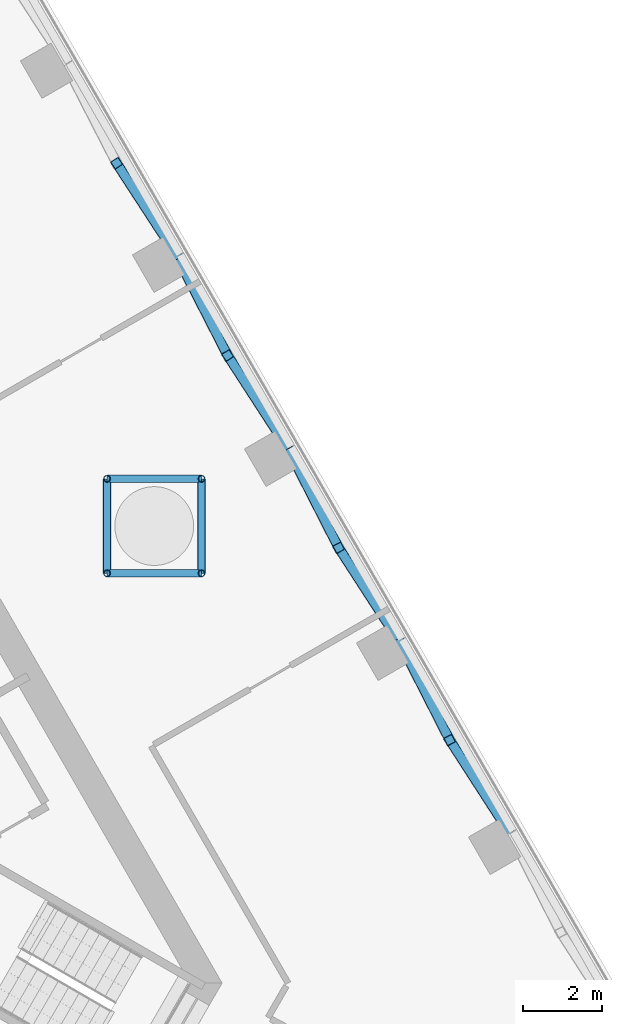
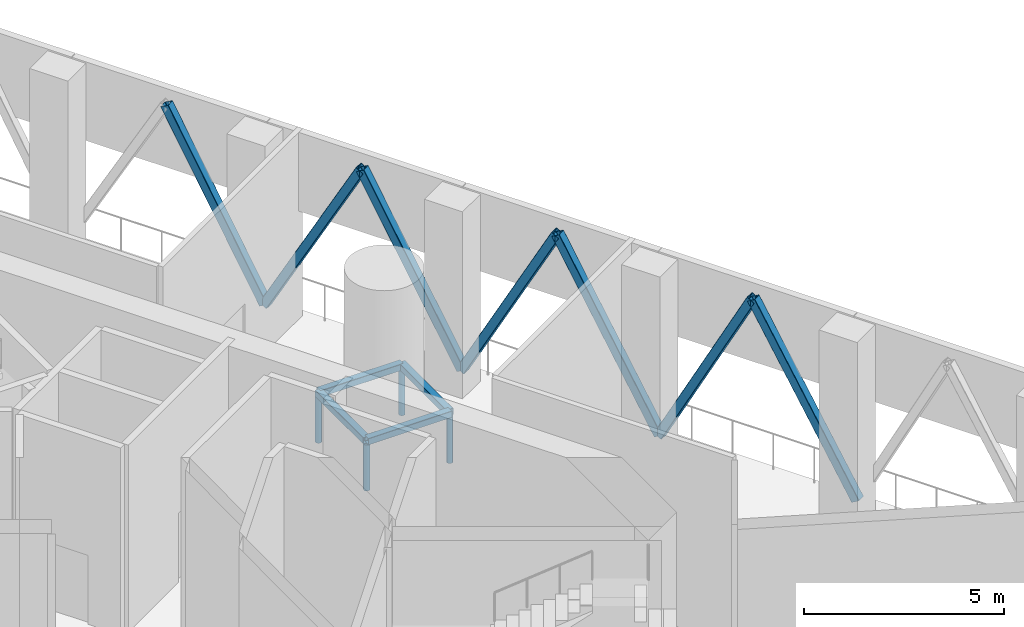
# One storey, part 5 of 15: 15 members.
"""IFC4 building model written with IfcOpenShell, lengths in metres."""

from ifc_helpers import new_model, si_unit, direction, frame, origin, origin_2d, place, context, subcontext, project, spatial, hollow_rectangle, hollow_circle, extrude, material, material_profile, profile_set, type_object, element, save


model = new_model("IFC4")

# Units and contexts
model_context = context("Model", 3, precision=1e-05, world=origin(), true_north=direction((0.0, 1.0)))
body_context = subcontext(model_context, "Body", "Model", "MODEL_VIEW")
ifc_project = project(units=[si_unit("LENGTHUNIT", "METRE"), si_unit("AREAUNIT", "SQUARE_METRE"), si_unit("VOLUMEUNIT", "CUBIC_METRE"), si_unit("PLANEANGLEUNIT", "RADIAN"), si_unit("MASSUNIT", "GRAM", prefix="KILO")], contexts=[model_context])

# Site, building, storey
site_placement = place(None, origin())
site = spatial("IfcSite", under=ifc_project, at=site_placement, CompositionType="ELEMENT")
building_placement = place(site_placement, origin())
building = spatial("IfcBuilding", under=site, at=building_placement, Name="Triada Interchange Tower", CompositionType="ELEMENT")
storey_placement = place(building_placement, frame((0.0, 0.0, 255.800048828125)))
storey = spatial("IfcBuildingStorey", under=building, at=storey_placement, Name="L60", CompositionType="ELEMENT", Elevation=255.800048828125)

# Members
ifc_material = material(Name="Steel S355", Category="steel")
ifc_material_profile_1 = material_profile(ifc_material, hollow_rectangle(XDim=0.25, YDim=0.25, WallThickness=0.012451171875, InnerFilletRadius=0.012451171875, OuterFilletRadius=0.018798828125, at=origin_2d()), Name="RHS 250x250x12.5")
ifc_profile_set_1 = profile_set([ifc_material_profile_1], Name="Steel S355")
member_type_1 = type_object("IfcMemberType", Name="Belt truss diagonal RHS 250x250x12.5", PredefinedType="BRACE", material=ifc_profile_set_1)
member_1_placement = place(storey_placement, frame((20.18408203125, -1.487060546875, 0.14990234375), z_axis=(-0.265989015135, 0.412096809789, 0.871450551201), x_axis=(-0.840185079681, -0.542299762014, 0.0)))
element("IfcMember", 1, at=member_1_placement, inside=storey, type_object=member_type_1, Name="Belt truss diagonal 045 L60", PredefinedType="BRACE", context=body_context, shape_type="SweptSolid", body=[
    extrude(hollow_rectangle(XDim=0.25, YDim=0.25, WallThickness=0.012451171875, InnerFilletRadius=0.012451171875, OuterFilletRadius=0.018798828125, at=origin_2d()), origin(), (0.0, 0.0, 1.0), 5.967041015625),
])
member_2_placement = place(storey_placement, frame((17.339111328125, 3.44091796875, 0.14990234375), z_axis=(0.21347232533, -0.419030595122, 0.882520779738), x_axis=(0.891036134885, 0.45393238079, 0.0)))
element("IfcMember", 2, at=member_2_placement, inside=storey, type_object=member_type_1, Name="Belt truss diagonal 046 L60", PredefinedType="BRACE", context=body_context, shape_type="SweptSolid", body=[
    extrude(hollow_rectangle(XDim=0.25, YDim=0.25, WallThickness=0.012451171875, InnerFilletRadius=0.012451171875, OuterFilletRadius=0.018798828125, at=origin_2d()), origin(), (0.0, 0.0, 1.0), 5.89208984375),
])
member_3_placement = place(storey_placement, frame((17.339111328125, 3.44189453125, 0.14990234375), z_axis=(-0.262895068413, 0.406135488621, 0.875180065979), x_axis=(-0.839474439513, -0.543399176852, 0.0)))
element("IfcMember", 3, at=member_3_placement, inside=storey, type_object=member_type_1, Name="Belt truss diagonal 047 L60", PredefinedType="BRACE", context=body_context, shape_type="SweptSolid", body=[
    extrude(hollow_rectangle(XDim=0.25, YDim=0.25, WallThickness=0.012451171875, InnerFilletRadius=0.012451171875, OuterFilletRadius=0.018798828125, at=origin_2d()), origin(), (0.0, 0.0, 1.0), 5.941650390625),
])
for number, where, z_axis, x_axis, name in (
    (4, (14.493896484375, 8.368896484375, 0.14990234375), (0.216882710596, -0.424893696919, 0.878878396687), (0.890676813286, 0.454637013754, 0.0), "Belt truss diagonal 048 L60"),
    (5, (14.493896484375, 8.367919921875, 0.14990234375), (-0.259433978627, 0.400271925033, 0.878906364048), (-0.839154448943, -0.54389319799, 0.0), "Belt truss diagonal 049 L60"),
):
    element("IfcMember", number, at=place(storey_placement, frame(where, z_axis=z_axis, x_axis=x_axis)), inside=storey, type_object=member_type_1, Name=name, PredefinedType="BRACE", context=body_context, shape_type="SweptSolid", body=[
        extrude(hollow_rectangle(XDim=0.25, YDim=0.25, WallThickness=0.012451171875, InnerFilletRadius=0.012451171875, OuterFilletRadius=0.018798828125, at=origin_2d()), origin(), (0.0, 0.0, 1.0), 5.91650390625),
    ])
member_4_placement = place(storey_placement, frame((11.64990234375, 13.2958984375, 0.14990234375), z_axis=(0.220314763031, -0.430809453632, 0.875136914918), x_axis=(0.890331424997, 0.455313028215, 0.0)))
element("IfcMember", 6, at=member_4_placement, inside=storey, type_object=member_type_1, Name="Belt truss diagonal 050 L60", PredefinedType="BRACE", context=body_context, shape_type="SweptSolid", body=[
    extrude(hollow_rectangle(XDim=0.25, YDim=0.25, WallThickness=0.012451171875, InnerFilletRadius=0.012451171875, OuterFilletRadius=0.018798828125, at=origin_2d()), origin(), (0.0, 0.0, 1.0), 5.94189453125),
])
member_5_placement = place(storey_placement, frame((11.64990234375, 13.297119140625, 0.14990234375), z_axis=(-0.256456122965, 0.394069757537, 0.882575369693), x_axis=(-0.838141451234, -0.545452938138, 0.0)))
element("IfcMember", 7, at=member_5_placement, inside=storey, type_object=member_type_1, Name="Belt truss diagonal 051 L60", PredefinedType="BRACE", context=body_context, shape_type="SweptSolid", body=[
    extrude(hollow_rectangle(XDim=0.25, YDim=0.25, WallThickness=0.012451171875, InnerFilletRadius=0.012451171875, OuterFilletRadius=0.018798828125, at=origin_2d()), origin(), (0.0, 0.0, 1.0), 5.891845703125),
])
ifc_material_profile_2 = material_profile(ifc_material, hollow_rectangle(XDim=0.199951171875, YDim=0.199951171875, WallThickness=0.010009765625, InnerFilletRadius=0.010009765625, OuterFilletRadius=0.014892578125, at=origin_2d()), Name="RHS 200x200x10")
ifc_profile_set_2 = profile_set([ifc_material_profile_2], Name="Steel S355")
member_type_2 = type_object("IfcMemberType", Name="Turbine frame beam RHS 200x200x10", PredefinedType="USERDEFINED", material=ifc_profile_set_2)
for number, where, z_axis, x_axis, name in (
    (8, (9.89501953125, 5.205078125, 1.5), (1.0, 0.0, 0.0), (0.0, 1.0, 0.0), "Turbine 3 frame beam 1"),
    (9, (12.294921875, 5.205078125, 1.5), (0.0, 1.0, 0.0), (-1.0, 0.0, 0.0), "Turbine 3 frame beam 2"),
    (10, (12.294921875, 7.60498046875, 1.5), (-1.0, 0.0, 0.0), (0.0, -1.0, 0.0), "Turbine 3 frame beam 3"),
    (11, (9.89501953125, 7.60498046875, 1.5), (0.0, -1.0, 0.0), (1.0, 0.0, 0.0), "Turbine 3 frame beam 4"),
):
    element("IfcMember", number, at=place(storey_placement, frame(where, z_axis=z_axis, x_axis=x_axis)), inside=storey, type_object=member_type_2, Name=name, ObjectType="TURBINE FRAME", PredefinedType="USERDEFINED", context=body_context, shape_type="SweptSolid", body=[
        extrude(hollow_rectangle(XDim=0.199951171875, YDim=0.199951171875, WallThickness=0.010009765625, InnerFilletRadius=0.010009765625, OuterFilletRadius=0.014892578125, at=origin_2d()), origin(), (0.0, 0.0, 1.0), 2.39990234375),
    ])
ifc_material_profile_3 = material_profile(ifc_material, hollow_circle(Radius=0.084228515625, WallThickness=0.008056640625, at=origin_2d()), Name="CHS 168.3x8")
ifc_profile_set_3 = profile_set([ifc_material_profile_3], Name="Steel S355")
member_type_3 = type_object("IfcMemberType", Name="Turbine frame post CHS 168.3x8", PredefinedType="USERDEFINED", material=ifc_profile_set_3)
for number, where, z_axis, x_axis, name in (
    (12, (9.89501953125, 5.205078125, 0.0), (0.0, 0.0, 1.0), (1.0, 0.0, 0.0), "Turbine 3 frame post 1"),
    (13, (12.294921875, 5.205078125, 0.0), (0.0, 0.0, 1.0), (1.0, 0.0, 0.0), "Turbine 3 frame post 2"),
    (14, (12.294921875, 7.60498046875, 0.0), (0.0, 0.0, 1.0), (1.0, 0.0, 0.0), "Turbine 3 frame post 3"),
    (15, (9.89501953125, 7.60498046875, 0.0), (0.0, 0.0, 1.0), (1.0, 0.0, 0.0), "Turbine 3 frame post 4"),
):
    element("IfcMember", number, at=place(storey_placement, frame(where, z_axis=z_axis, x_axis=x_axis)), inside=storey, type_object=member_type_3, Name=name, ObjectType="TURBINE FRAME", PredefinedType="USERDEFINED", context=body_context, shape_type="SweptSolid", body=[
        extrude(hollow_circle(Radius=0.084228515625, WallThickness=0.008056640625, at=origin_2d()), origin(), (0.0, 0.0, 1.0), 1.39990234375),
    ])

save(model, "model.ifc")
